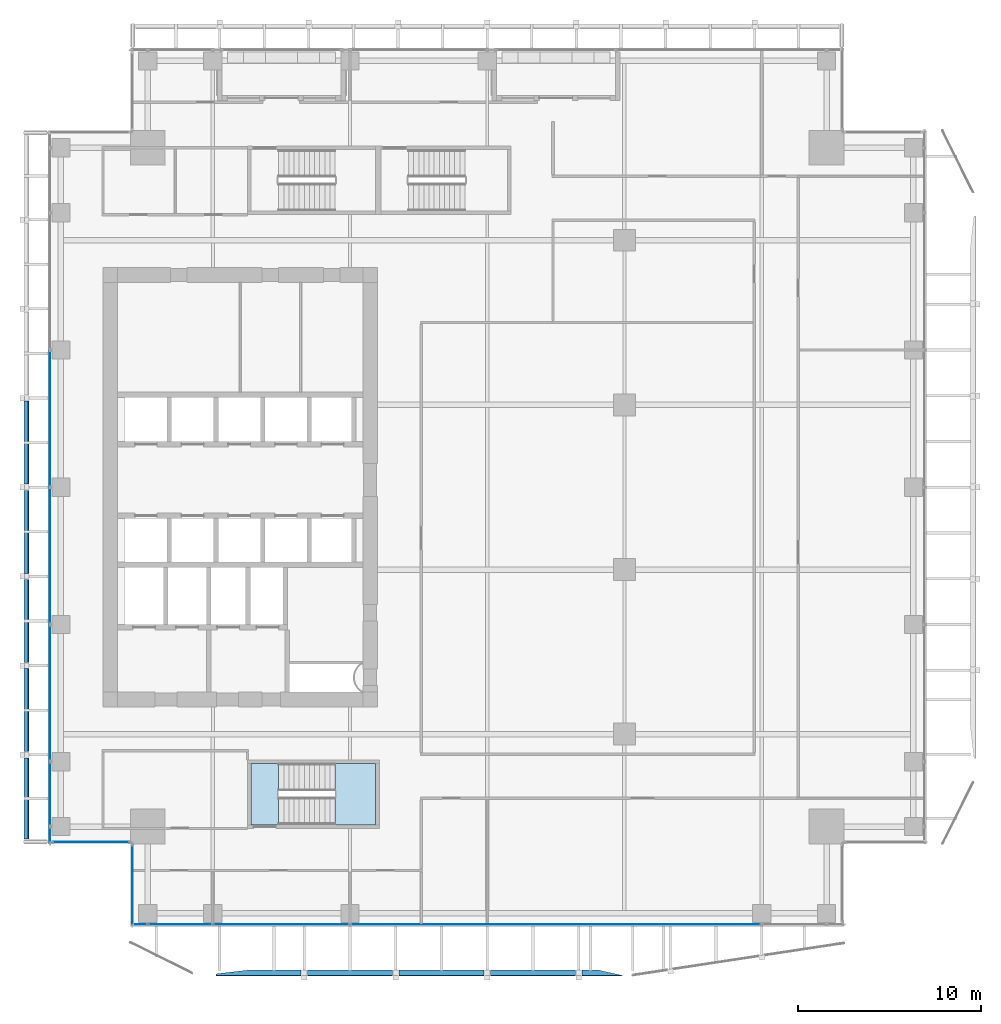
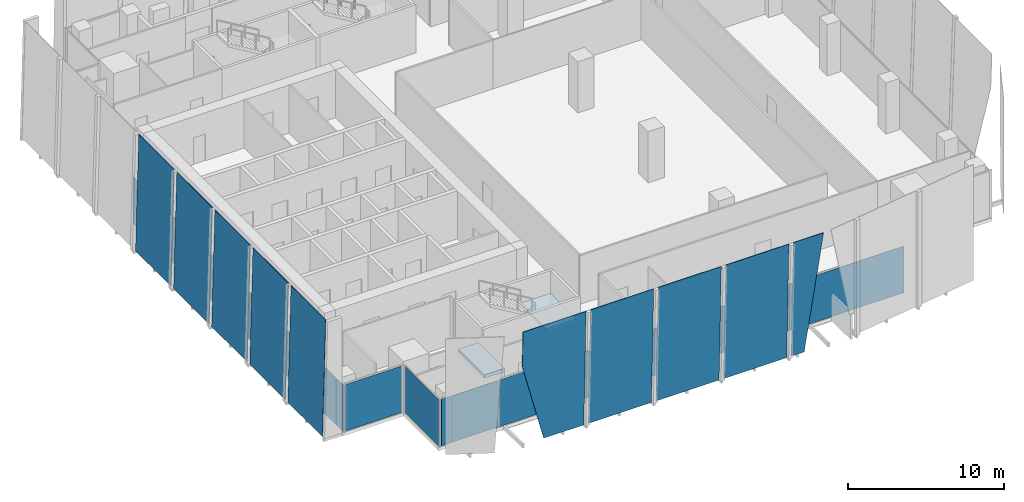
# One storey, part 23 of 35: 21 plates, 2 slabs, 5 elements without a shape of their own.
"""IFC4 building model written with IfcOpenShell, lengths in metres."""

from ifc_helpers import new_model, si_unit, direction, frame, origin, origin_2d, place, context, subcontext, project, spatial, polyline, rectangle, outline, extrude, source, transform, mapped, material, layer, layer_set, type_object, element, aggregate, save


model = new_model("IFC4")

# Units and contexts
model_context = context("Model", 3, precision=1e-05, world=origin(), true_north=direction((0.0, 1.0)))
body_context = subcontext(model_context, "Body", "Model", "MODEL_VIEW")
ifc_project = project(units=[si_unit("LENGTHUNIT", "METRE"), si_unit("AREAUNIT", "SQUARE_METRE"), si_unit("VOLUMEUNIT", "CUBIC_METRE"), si_unit("PLANEANGLEUNIT", "RADIAN"), si_unit("MASSUNIT", "GRAM", prefix="KILO")], contexts=[model_context])

# Site, building, storey
site_placement = place(None, origin())
site = spatial("IfcSite", under=ifc_project, at=site_placement, CompositionType="ELEMENT")
building_placement = place(site_placement, origin())
building = spatial("IfcBuilding", under=site, at=building_placement, Name="Khomas Fold Tower", CompositionType="ELEMENT")
storey_placement = place(building_placement, frame((0.0, 0.0, 212.699951171875)))
storey = spatial("IfcBuildingStorey", under=building, at=storey_placement, Name="L47", CompositionType="ELEMENT", Elevation=212.699951171875)

# Plates
ifc_material_1 = material(Name="Clear laminated glass", Category="glass")
ifc_layer_1 = layer(ifc_material_1, 0.0400390625)
ifc_layer_set_1 = layer_set([ifc_layer_1], Name="Clear laminated glass")
plate_type_1 = type_object("IfcPlateType", Name="SK-Clear laminated glass leaf", PredefinedType="SHEET", material=ifc_layer_set_1)
plate_1_placement = place(storey_placement, frame((13.8671875, 0.597412109375, 0.0), z_axis=(-2.2025053e-05, 0.999510862448, 0.031273556942), x_axis=(-0.260086768599, -0.030203010892, 0.965112765915)))
element("IfcPlate", 1, at=plate_1_placement, inside=storey, type_object=plate_type_1, Name="OUTER SKIN glass L47 SG100-2", PredefinedType="SHEET", context=body_context, shape_type="SweptSolid", body=[
    extrude(outline(polyline([(0.0, 0.0), (6.5257669117234895, 4.440892098500626e-16), (9.184307575110457, 0.7160955027311291), (7.972262594883292, 5.215873633904396), (-0.7706086483673976, 2.860923480716616), (0.0, 0.0)])), origin(), (0.0, 0.0, -1.0), 0.0400390625),
])
for number, where, z_axis, x_axis, name in (
    (2, (17.169921875, 0.597412109375, 0.0), (0.0, 0.999510733566, 0.031277683534), (0.0, -0.031277683534, 0.999510733566), "OUTER SKIN glass L47 SG101-4"),
    (3, (22.169921875, 0.597412109375, 0.0), (0.0, 0.999510733566, 0.031277683534), (0.0, -0.031277683534, 0.999510733566), "OUTER SKIN glass L47 SG102-6"),
    (4, (27.169921875, 0.597412109375, 0.0), (0.0, 0.999510733566, 0.031277683534), (0.0, -0.031277683534, 0.999510733566), "OUTER SKIN glass L47 SG103-8"),
):
    element("IfcPlate", number, at=place(storey_placement, frame(where, z_axis=z_axis, x_axis=x_axis)), inside=storey, type_object=plate_type_1, Name=name, PredefinedType="SHEET", context=body_context, shape_type="SweptSolid", body=[
        extrude(outline(polyline([(0.0, 0.0), (9.05447888072287, 0.0), (9.05447888072287, 4.66015625), (0.0, 4.66015625), (0.0, 0.0)])), origin(), (0.0, 0.0, -1.0), 0.0400390625),
    ])
plate_2_placement = place(storey_placement, frame((33.1240234375, 0.597412109375, 0.0), z_axis=(0.0, 0.999510733566, 0.031277683534), x_axis=(-1.0, 0.0, 0.0)))
element("IfcPlate", 5, at=plate_2_placement, inside=storey, type_object=plate_type_1, Name="OUTER SKIN glass L47 SG104-10", PredefinedType="SHEET", context=body_context, shape_type="SweptSolid", body=[
    extrude(outline(polyline([(0.0, 0.0), (0.9541015625, 0.0), (0.9541015625, 9.05447888072287), (-1.26904296875, 9.05447888072287), (0.0, 0.0)])), origin(), (0.0, 0.0, -1.0), 0.0400390625),
])
plate_3_placement = place(storey_placement, frame((1.671875, 7.77001953125, 0.0009765625), z_axis=(-0.999657103303, 0.0, 0.026185412267), x_axis=(0.0, 1.0, 0.0)))
element("IfcPlate", 6, at=plate_3_placement, inside=storey, type_object=plate_type_1, Name="OUTER SKIN glass L47 W1", PredefinedType="SHEET", context=body_context, shape_type="SweptSolid", body=[
    extrude(outline(polyline([(0.0, 0.0), (4.43505859375, 0.0), (4.43505859375, -9.053153124427498), (0.0, -9.053153124427498), (0.0, 0.0)])), origin(), (0.0, 0.0, -1.0), 0.0400390625),
])
for number, where, z_axis, x_axis, name in (
    (7, (1.671875, 12.544921875, 0.0009765625), (-0.999657103303, 0.0, 0.026185412267), (0.0, 1.0, 0.0), "OUTER SKIN glass L47 W3"),
    (8, (1.671875, 17.419921875, 0.0009765625), (-0.999657103303, 0.0, 0.026185412267), (0.0, 1.0, 0.0), "OUTER SKIN glass L47 W5"),
    (9, (1.671875, 22.294921875, 0.0009765625), (-0.999657103303, 0.0, 0.026185412267), (0.0, 1.0, 0.0), "OUTER SKIN glass L47 W7"),
    (10, (1.671875, 27.169921875, 0.0009765625), (-0.999657103303, 0.0, 0.026185412267), (0.0, 1.0, 0.0), "OUTER SKIN glass L47 W9"),
):
    element("IfcPlate", number, at=place(storey_placement, frame(where, z_axis=z_axis, x_axis=x_axis)), inside=storey, type_object=plate_type_1, Name=name, PredefinedType="SHEET", context=body_context, shape_type="SweptSolid", body=[
        extrude(outline(polyline([(0.0, 0.0), (4.53515625, 0.0), (4.53515625, -9.053153124427498), (0.0, -9.053153124427498), (0.0, 0.0)])), origin(), (0.0, 0.0, -1.0), 0.0400390625),
    ])

# Curtain wall, plate
ifc_material_2 = material(Name="Aluminium framed double glazing", Category="aluminium")
curtain_wall_type = type_object("IfcCurtainWallType", Name="SK-Unitised clear-glass wall, office floors CW2", PredefinedType="NOTDEFINED", material=ifc_material_2)
curtain_wall_1_placement = place(storey_placement, origin())
curtain_wall_1 = element("IfcCurtainWall", 11, at=curtain_wall_1_placement, inside=storey, type_object=curtain_wall_type, Name="CW2 corner return L47 11", PredefinedType="NOTDEFINED")
ifc_material_3 = material(Name="Clear double glazed unit")
ifc_layer_2 = layer(ifc_material_3, 0.030029296875)
ifc_layer_set_2 = layer_set([ifc_layer_2], Name="Clear double glazed unit")
plate_type_2 = type_object("IfcPlateType", Name="SK-Unitised clear-glass wall, office floors glass panel CW2-P", PredefinedType="CURTAIN_PANEL", material=ifc_layer_set_2)
shared_shape_1 = source(origin(), body_context, "Body", "SweptSolid", [
    extrude(rectangle(XDim=4.3798828125, YDim=0.030029296875, at=origin_2d()), origin(), (0.0, 0.0, 1.0), 3.639892578125),
])
plate_4_placement = place(storey_placement, frame((7.60009765625, 5.25, 0.0), z_axis=(0.0, 0.0, 1.0), x_axis=(0.0, -1.0, 0.0)))
plate_4 = element("IfcPlate", 12, at=plate_4_placement, type_object=plate_type_2, Name="CW2 glass panel 1", PredefinedType="CURTAIN_PANEL", context=body_context, shape_type="MappedRepresentation", body=[
    mapped(shared_shape_1, transform((0.0, 0.0, 0.0))),
])
aggregate(curtain_wall_1, [plate_4])

# Curtain wall, plates
curtain_wall_2_placement = place(storey_placement, origin())
curtain_wall_2 = element("IfcCurtainWall", 13, at=curtain_wall_2_placement, inside=storey, type_object=curtain_wall_type, Name="CW2 run L47 00-0", PredefinedType="NOTDEFINED")
shared_shape_2 = source(origin(), body_context, "Body", "SweptSolid", [
    extrude(rectangle(XDim=0.659912109375, YDim=0.030029296875, at=origin_2d()), origin(), (0.0, 0.0, 1.0), 3.639892578125),
])
plate_5_placement = place(storey_placement, frame((8.090087890625, 3.10009765625, 0.0), z_axis=(0.0, 0.0, 1.0), x_axis=(1.0, 0.0, 0.0)))
plate_5 = element("IfcPlate", 14, at=plate_5_placement, type_object=plate_type_2, Name="CW2 glass panel 1", PredefinedType="CURTAIN_PANEL", context=body_context, shape_type="MappedRepresentation", body=[
    mapped(shared_shape_2, transform((0.0, 0.0, 0.0))),
])
shared_shape_3 = source(origin(), body_context, "Body", "SweptSolid", [
    extrude(rectangle(XDim=3.489990234375, YDim=0.030029296875, at=origin_2d()), origin(), (0.0, 0.0, 1.0), 3.639892578125),
])
plate_6_placement = place(storey_placement, frame((10.22509765625, 3.10009765625, 0.0), z_axis=(0.0, 0.0, 1.0), x_axis=(1.0, 0.0, 0.0)))
plate_6 = element("IfcPlate", 15, at=plate_6_placement, type_object=plate_type_2, Name="CW2 glass panel 2", PredefinedType="CURTAIN_PANEL", context=body_context, shape_type="MappedRepresentation", body=[
    mapped(shared_shape_3, transform((0.0, 0.0, 0.0))),
])

# Curtain wall, plate
curtain_wall_3_placement = place(storey_placement, origin())
curtain_wall_3 = element("IfcCurtainWall", 16, at=curtain_wall_3_placement, inside=storey, type_object=curtain_wall_type, Name="CW2 run L47 09-0", PredefinedType="NOTDEFINED")
plate_7_placement = place(storey_placement, frame((3.10009765625, 10.22509765625, 0.0), z_axis=(0.0, 0.0, 1.0), x_axis=(0.0, -1.0, 0.0)))
plate_7 = element("IfcPlate", 17, at=plate_7_placement, type_object=plate_type_2, Name="CW2 glass panel 7", PredefinedType="CURTAIN_PANEL", context=body_context, shape_type="MappedRepresentation", body=[
    mapped(shared_shape_3, transform((0.0, 0.0, 0.0))),
])

# Plate
shared_shape_4 = source(origin(), body_context, "Body", "SweptSolid", [
    extrude(rectangle(XDim=7.43994140625, YDim=0.030029296875, at=origin_2d()), origin(), (0.0, 0.0, 1.0), 3.639892578125),
])
plate_8_placement = place(storey_placement, frame((15.75, 3.10009765625, 0.0), z_axis=(0.0, 0.0, 1.0), x_axis=(1.0, 0.0, 0.0)))
plate_8 = element("IfcPlate", 18, at=plate_8_placement, type_object=plate_type_2, Name="CW2 glass panel 3", PredefinedType="CURTAIN_PANEL", context=body_context, shape_type="MappedRepresentation", body=[
    mapped(shared_shape_4, transform((0.0, 0.0, 0.0))),
])

plate_9_placement = place(storey_placement, frame((3.10009765625, 30.75, 0.0), z_axis=(0.0, 0.0, 1.0), x_axis=(0.0, -1.0, 0.0)))
plate_9 = element("IfcPlate", 19, at=plate_9_placement, type_object=plate_type_2, Name="CW2 glass panel 4", PredefinedType="CURTAIN_PANEL", context=body_context, shape_type="MappedRepresentation", body=[
    mapped(shared_shape_4, transform((0.0, 0.0, 0.0))),
])

plate_10_placement = place(storey_placement, frame((3.10009765625, 23.25, 0.0), z_axis=(0.0, 0.0, 1.0), x_axis=(0.0, -1.0, 0.0)))
plate_10 = element("IfcPlate", 20, at=plate_10_placement, type_object=plate_type_2, Name="CW2 glass panel 5", PredefinedType="CURTAIN_PANEL", context=body_context, shape_type="MappedRepresentation", body=[
    mapped(shared_shape_4, transform((0.0, 0.0, 0.0))),
])

plate_11_placement = place(storey_placement, frame((3.10009765625, 15.75, 0.0), z_axis=(0.0, 0.0, 1.0), x_axis=(0.0, -1.0, 0.0)))
plate_11 = element("IfcPlate", 21, at=plate_11_placement, type_object=plate_type_2, Name="CW2 glass panel 6", PredefinedType="CURTAIN_PANEL", context=body_context, shape_type="MappedRepresentation", body=[
    mapped(shared_shape_4, transform((0.0, 0.0, 0.0))),
])

# Curtain wall, plate
curtain_wall_4_placement = place(storey_placement, origin())
curtain_wall_4 = element("IfcCurtainWall", 22, at=curtain_wall_4_placement, inside=storey, type_object=curtain_wall_type, Name="CW2 corner return L47 10", PredefinedType="NOTDEFINED")
shared_shape_5 = source(origin(), body_context, "Body", "SweptSolid", [
    extrude(rectangle(XDim=4.179931640625, YDim=0.030029296875, at=origin_2d()), origin(), (0.0, 0.0, 1.0), 3.639892578125),
])
plate_12_placement = place(storey_placement, frame((5.35009765625, 7.60009765625, 0.0), z_axis=(0.0, 0.0, 1.0), x_axis=(1.0, 0.0, 0.0)))
plate_12 = element("IfcPlate", 23, at=plate_12_placement, type_object=plate_type_2, Name="CW2 glass panel 1", PredefinedType="CURTAIN_PANEL", context=body_context, shape_type="MappedRepresentation", body=[
    mapped(shared_shape_5, transform((0.0, 0.0, 0.0))),
])
aggregate(curtain_wall_4, [plate_12])

# Plate
shared_shape_6 = source(origin(), body_context, "Body", "SweptSolid", [
    extrude(rectangle(XDim=0.860107421875, YDim=0.030029296875, at=origin_2d()), origin(), (0.0, 0.0, 1.0), 3.639892578125),
])
plate_13_placement = place(storey_placement, frame((3.10009765625, 7.989990234375, 0.0), z_axis=(0.0, 0.0, 1.0), x_axis=(0.0, -1.0, 0.0)))
plate_13 = element("IfcPlate", 24, at=plate_13_placement, type_object=plate_type_2, Name="CW2 glass panel 8", PredefinedType="CURTAIN_PANEL", context=body_context, shape_type="MappedRepresentation", body=[
    mapped(shared_shape_6, transform((0.0, 0.0, 0.0))),
])

aggregate(curtain_wall_3, [plate_9, plate_10, plate_11, plate_7, plate_13])

shared_shape_7 = source(origin(), body_context, "Body", "SweptSolid", [
    extrude(rectangle(XDim=22.43994140625, YDim=0.030029296875, at=origin_2d()), origin(), (0.0, 0.0, 1.0), 3.639892578125),
])
plate_14_placement = place(storey_placement, frame((30.75, 3.10009765625, 0.0), z_axis=(0.0, 0.0, 1.0), x_axis=(1.0, 0.0, 0.0)))
plate_14 = element("IfcPlate", 25, at=plate_14_placement, type_object=plate_type_2, Name="CW2 glass panel 4", PredefinedType="CURTAIN_PANEL", context=body_context, shape_type="MappedRepresentation", body=[
    mapped(shared_shape_7, transform((0.0, 0.0, 0.0))),
])

aggregate(curtain_wall_2, [plate_5, plate_6, plate_8, plate_14])

# Stair, slab
ifc_material_4 = material(Name="Concrete C40/50", Category="concrete")
stair_type = type_object("IfcStairType", Name="Stair ST2", PredefinedType="HALF_TURN_STAIR", material=ifc_material_4)
stair_placement = place(storey_placement, origin())
stair = element("IfcStair", 26, at=stair_placement, inside=storey, type_object=stair_type, Name="L47 ST2", PredefinedType="HALF_TURN_STAIR")
ifc_material_5 = material(Name="Concrete C40/50", Category="concrete")
ifc_layer_3 = layer(ifc_material_5, 0.199951171875)
ifc_layer_set_3 = layer_set([ifc_layer_3], Name="Concrete C40/50")
slab_type_1 = type_object("IfcSlabType", Name="Stair landing 200", PredefinedType="LANDING", material=ifc_layer_set_3)
shared_shape_8 = source(origin(), body_context, "Body", "SweptSolid", [
    extrude(outline(polyline([(18.679931640625, 8.550048828125), (20.89990234375, 8.550048828125), (20.89990234375, 11.89990234375), (18.679931640625, 11.89990234375), (18.679931640625, 8.550048828125)])), origin(), (0.0, 0.0, 1.0), 0.199951171875),
])
slab_1_placement = place(storey_placement, frame((0.0, 0.0, 1.800048828125)))
slab_1 = element("IfcSlab", 27, at=slab_1_placement, type_object=slab_type_1, Name="ST2 landing 1", PredefinedType="LANDING", context=body_context, shape_type="MappedRepresentation", body=[
    mapped(shared_shape_8, transform((0.0, 0.0, 0.0))),
])
aggregate(stair, [slab_1])

# Slab
ifc_material_6 = material(Name="Concrete C40/50", Category="concrete")
ifc_layer_4 = layer(ifc_material_6, 0.25)
ifc_layer_set_4 = layer_set([ifc_layer_4], Name="Concrete C40/50")
slab_type_2 = type_object("IfcSlabType", Name="Stair floor landing 250", PredefinedType="LANDING", material=ifc_layer_set_4)
shared_shape_9 = source(origin(), body_context, "Body", "SweptSolid", [
    extrude(outline(polyline([(15.60009765625, 8.550048828125), (14.10009765625, 8.550048828125), (14.10009765625, 11.89990234375), (15.60009765625, 11.89990234375), (15.60009765625, 8.550048828125)])), origin(), (0.0, 0.0, 1.0), 0.25),
])
slab_2_placement = place(storey_placement, frame((0.0, 0.0, -0.25)))
element("IfcSlab", 28, at=slab_2_placement, inside=storey, type_object=slab_type_2, Name="ST2 floor landing", PredefinedType="LANDING", context=body_context, shape_type="MappedRepresentation", body=[
    mapped(shared_shape_9, transform((0.0, 0.0, 0.0))),
])

save(model, "model.ifc")
